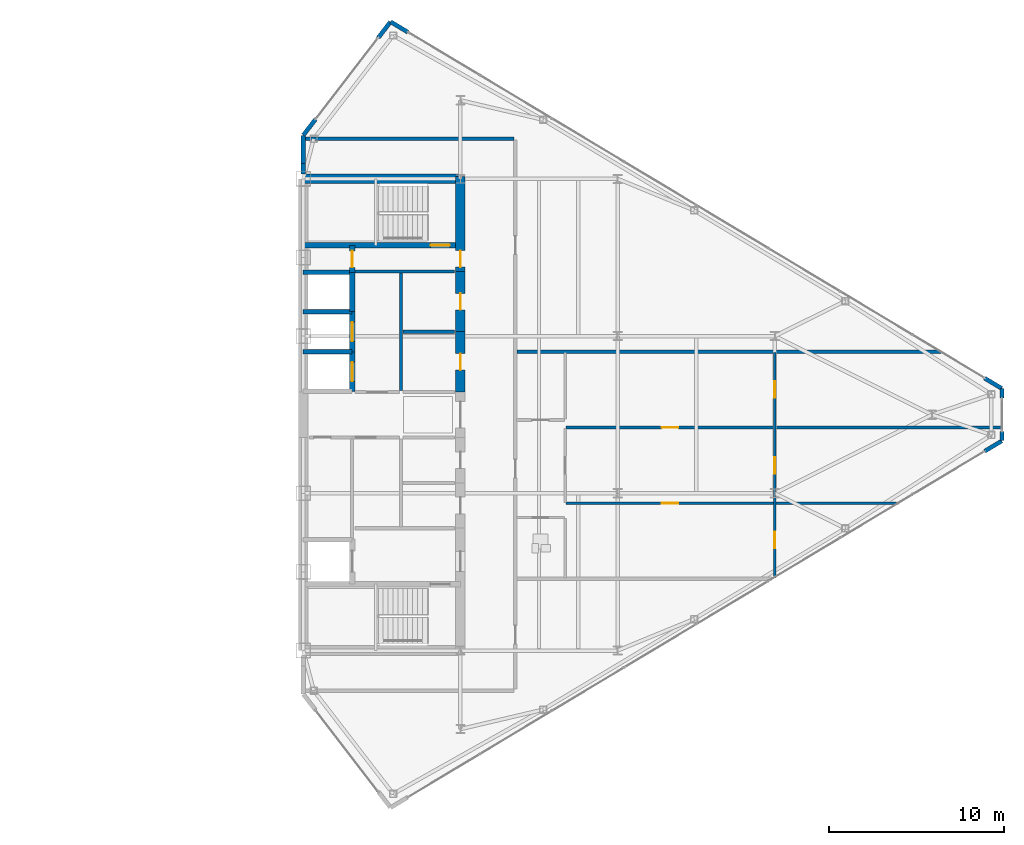
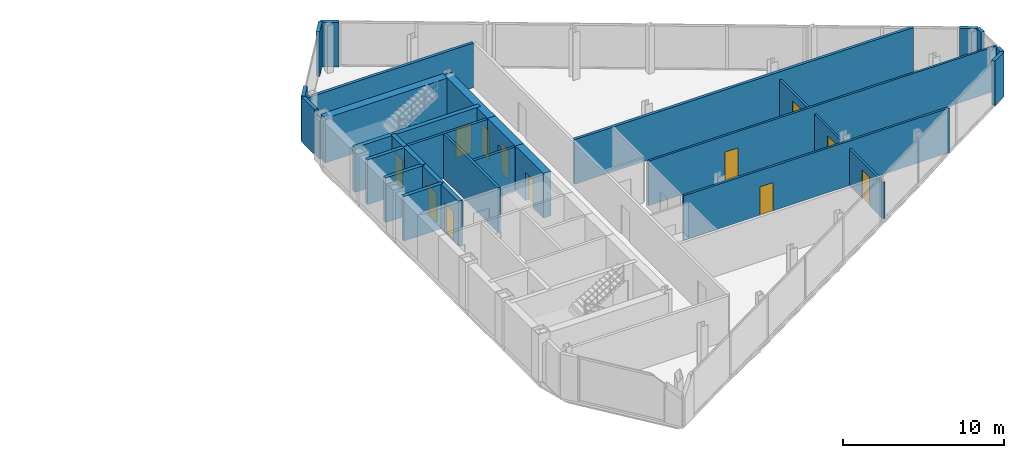
# One storey, part 22 of 25: 29 walls, 12 doors, 12 openings.
"""IFC4 building model written with IfcOpenShell, lengths in metres."""

from ifc_helpers import new_model, si_unit, direction, frame, frame_2d, origin, place, context, subcontext, project, spatial, rectangle, extrude, source, transform, mapped, material, layer, layer_set, type_object, type_shapes, element, fill, save


model = new_model("IFC4")

# Units and contexts
model_context = context("Model", 3, precision=1e-05, world=origin(), true_north=direction((0.0, 1.0)))
body_context = subcontext(model_context, "Body", "Model", "MODEL_VIEW")
ifc_project = project(units=[si_unit("LENGTHUNIT", "METRE"), si_unit("AREAUNIT", "SQUARE_METRE"), si_unit("VOLUMEUNIT", "CUBIC_METRE"), si_unit("PLANEANGLEUNIT", "RADIAN"), si_unit("MASSUNIT", "GRAM", prefix="KILO")], contexts=[model_context])

# Site, building, storey
site_placement = place(None, origin())
site = spatial("IfcSite", under=ifc_project, at=site_placement, CompositionType="ELEMENT")
building_placement = place(site_placement, origin())
building = spatial("IfcBuilding", under=site, at=building_placement, Name="Seokmaru Belvedere", CompositionType="ELEMENT")
storey_placement = place(building_placement, frame((0.0, 0.0, 206.699951171875)))
storey = spatial("IfcBuildingStorey", under=building, at=storey_placement, Name="L55", CompositionType="ELEMENT", Elevation=206.699951171875)

# Wall, opening, door
ifc_material_1 = material(Name="Fire-Rated Gypsum Shaftwall")
ifc_layer_1 = layer(ifc_material_1, 0.14990234375)
ifc_layer_set_1 = layer_set([ifc_layer_1], Name="Fire-Rated Gypsum Shaftwall")
wall_type_1 = type_object("IfcWallType", Name="Apartment Fire-Acoustic Room Partition 150", PredefinedType="PARTITIONING", material=ifc_layer_set_1)
wall_1_placement = place(storey_placement, frame((42.550048828125, -5.070068359375, 0.0), z_axis=(0.0, 0.0, 1.0), x_axis=(1.0, 0.0, 0.0)))
wall_1 = element("IfcWall", 1, at=wall_1_placement, inside=storey, type_object=wall_type_1, Name="L55 Interior Partition 008", PredefinedType="PARTITIONING", context=body_context, shape_type="SweptSolid", body=[
    extrude(rectangle(XDim=19.0400390625, YDim=0.14990234375, at=frame_2d((9.52001953125, 0.0))), origin(), (0.0, 0.0, 1.0), 3.380126953125),
])
opening_1_placement = place(wall_1_placement, frame((5.47509765625, 0.0, 0.0)))
opening_1 = element("IfcOpeningElement", 2, at=opening_1_placement, cuts=wall_1, Name="Opening D05", PredefinedType="OPENING", context=body_context, shape_type="SweptSolid", body=[
    extrude(rectangle(XDim=0.949951171875, YDim=2.14990234375, at=frame_2d((0.47509765625, 1.074951171875))), frame((0.0, 0.0849609375, 0.0), z_axis=(0.0, -1.0, 0.0), x_axis=(1.0, 0.0, 0.0)), (0.0, 0.0, 1.0), 0.169921875),
])
ifc_material_2 = material(Name="Engineered White Oak Timber", Category="wood")
door_type_1 = type_object("IfcDoorType", Name="Apartment Interior Fire-Rated Oak Door 950x2150", OperationType="NOTDEFINED", PredefinedType="DOOR", material=ifc_material_2)
shared_shape_1 = source(origin(), body_context, "Body", "SweptSolid", [
    extrude(rectangle(XDim=0.949951171875, YDim=2.14990234375, at=frame_2d((0.47509765625, 1.074951171875))), frame((0.0, 0.02490234375, 0.0), z_axis=(0.0, -1.0, 0.0), x_axis=(1.0, 0.0, 0.0)), (0.0, 0.0, 1.0), 0.050048828125),
])
type_shapes(door_type_1, [shared_shape_1])
door_1_placement = place(opening_1_placement, origin())
door_1 = element("IfcDoor", 3, at=door_1_placement, inside=storey, type_object=door_type_1, Name="L55 Interior Door 018", OperationType="SINGLE_SWING_RIGHT", OverallHeight=2.14990234375, OverallWidth=0.949951171875, PredefinedType="DOOR", context=body_context, shape_type="MappedRepresentation", body=[
    mapped(shared_shape_1, transform((0.0, 0.0, 0.0), scale=1.0)),
])
fill(opening_1, door_1)

wall_2_placement = place(storey_placement, frame((42.550048828125, -0.72998046875, 0.0), z_axis=(0.0, 0.0, 1.0), x_axis=(1.0, 0.0, 0.0)))
wall_2 = element("IfcWall", 4, at=wall_2_placement, inside=storey, type_object=wall_type_1, Name="L55 Interior Partition 011", PredefinedType="PARTITIONING", context=body_context, shape_type="SweptSolid", body=[
    extrude(rectangle(XDim=24.98486328125, YDim=0.14990234375, at=frame_2d((12.492431640625, 0.0))), origin(), (0.0, 0.0, 1.0), 3.380126953125),
])
opening_2_placement = place(wall_2_placement, frame((5.47509765625, 0.0, 0.0)))
opening_2 = element("IfcOpeningElement", 5, at=opening_2_placement, cuts=wall_2, Name="Opening D05", PredefinedType="OPENING", context=body_context, shape_type="SweptSolid", body=[
    extrude(rectangle(XDim=0.949951171875, YDim=2.14990234375, at=frame_2d((0.47509765625, 1.074951171875))), frame((0.0, 0.0849609375, 0.0), z_axis=(0.0, -1.0, 0.0), x_axis=(1.0, 0.0, 0.0)), (0.0, 0.0, 1.0), 0.169921875),
])
door_2_placement = place(opening_2_placement, origin())
door_2 = element("IfcDoor", 6, at=door_2_placement, inside=storey, type_object=door_type_1, Name="L55 Interior Door 019", OperationType="SINGLE_SWING_LEFT", OverallHeight=2.14990234375, OverallWidth=0.949951171875, PredefinedType="DOOR", context=body_context, shape_type="MappedRepresentation", body=[
    mapped(shared_shape_1, transform((0.0, 0.0, 0.0), scale=1.0)),
])
fill(opening_2, door_2)

# Wall, openings, doors
wall_3_placement = place(storey_placement, frame((54.5, -9.3349609375, 0.0), z_axis=(0.0, 0.0, 1.0), x_axis=(0.0, 1.0, 0.0)))
wall_3 = element("IfcWall", 7, at=wall_3_placement, inside=storey, type_object=wall_type_1, Name="L55 Interior Partition 026", PredefinedType="PARTITIONING", context=body_context, shape_type="SweptSolid", body=[
    extrude(rectangle(XDim=12.885009765625, YDim=0.14990234375, at=frame_2d((6.4423828125, 0.0))), origin(), (0.0, 0.0, 1.0), 2.780029296875),
])
opening_3_placement = place(wall_3_placement, frame((5.9599609375, 0.0, 0.0)))
opening_3 = element("IfcOpeningElement", 8, at=opening_3_placement, cuts=wall_3, Name="Opening D05", PredefinedType="OPENING", context=body_context, shape_type="SweptSolid", body=[
    extrude(rectangle(XDim=0.949951171875, YDim=2.14990234375, at=frame_2d((0.47509765625, 1.074951171875))), frame((0.0, 0.0849609375, 0.0), z_axis=(0.0, -1.0, 0.0), x_axis=(1.0, 0.0, 0.0)), (0.0, 0.0, 1.0), 0.169921875),
])
opening_4_placement = place(wall_3_placement, frame((1.6767578125, 0.0, 0.0)))
opening_4 = element("IfcOpeningElement", 9, at=opening_4_placement, cuts=wall_3, Name="Opening D05", PredefinedType="OPENING", context=body_context, shape_type="SweptSolid", body=[
    extrude(rectangle(XDim=0.949951171875, YDim=2.14990234375, at=frame_2d((0.47509765625, 1.074951171875))), frame((0.0, 0.0849609375, 0.0), z_axis=(0.0, -1.0, 0.0), x_axis=(1.0, 0.0, 0.0)), (0.0, 0.0, 1.0), 0.169921875),
])
opening_5_placement = place(wall_3_placement, frame((10.29345703125, 0.0, 0.0)))
opening_5 = element("IfcOpeningElement", 10, at=opening_5_placement, cuts=wall_3, Name="Opening D05", PredefinedType="OPENING", context=body_context, shape_type="SweptSolid", body=[
    extrude(rectangle(XDim=0.949951171875, YDim=2.14990234375, at=frame_2d((0.47509765625, 1.074951171875))), frame((0.0, 0.0849609375, 0.0), z_axis=(0.0, -1.0, 0.0), x_axis=(1.0, 0.0, 0.0)), (0.0, 0.0, 1.0), 0.169921875),
])
door_3_placement = place(opening_3_placement, origin())
door_3 = element("IfcDoor", 11, at=door_3_placement, inside=storey, type_object=door_type_1, Name="L55 Interior Door 017", OperationType="SINGLE_SWING_RIGHT", OverallHeight=2.14990234375, OverallWidth=0.949951171875, PredefinedType="DOOR", context=body_context, shape_type="MappedRepresentation", body=[
    mapped(shared_shape_1, transform((0.0, 0.0, 0.0), scale=1.0)),
])
fill(opening_3, door_3)
door_4_placement = place(opening_4_placement, origin())
door_4 = element("IfcDoor", 12, at=door_4_placement, inside=storey, type_object=door_type_1, Name="L55 Interior Door 020", OperationType="SINGLE_SWING_LEFT", OverallHeight=2.14990234375, OverallWidth=0.949951171875, PredefinedType="DOOR", context=body_context, shape_type="MappedRepresentation", body=[
    mapped(shared_shape_1, transform((0.0, 0.0, 0.0), scale=1.0)),
])
fill(opening_4, door_4)
door_5_placement = place(opening_5_placement, origin())
door_5 = element("IfcDoor", 13, at=door_5_placement, inside=storey, type_object=door_type_1, Name="L55 Interior Door 021", OperationType="SINGLE_SWING_RIGHT", OverallHeight=2.14990234375, OverallWidth=0.949951171875, PredefinedType="DOOR", context=body_context, shape_type="MappedRepresentation", body=[
    mapped(shared_shape_1, transform((0.0, 0.0, 0.0), scale=1.0)),
])
fill(opening_5, door_5)

# Walls
ifc_layer_2 = layer(ifc_material_1, 0.179931640625)
ifc_layer_set_2 = layer_set([ifc_layer_2], Name="Fire-Rated Gypsum Shaftwall")
wall_type_2 = type_object("IfcWallType", Name="Core Service Fire Partition 180", PredefinedType="PARTITIONING", material=ifc_layer_set_2)
wall_4_placement = place(storey_placement, frame((30.449951171875, 8.199951171875, 0.0), z_axis=(0.0, 0.0, 1.0), x_axis=(1.0, 0.0, 0.0)))
element("IfcWall", 14, at=wall_4_placement, inside=storey, type_object=wall_type_2, Name="L55 East Smokeproof Vestibule Partition", PredefinedType="PARTITIONING", context=body_context, shape_type="SweptSolid", body=[
    extrude(rectangle(XDim=5.699951171875, YDim=0.179931640625, at=frame_2d((2.85009765625, 0.0))), origin(), (0.0, 0.0, 1.0), 3.380126953125),
])
wall_5_placement = place(storey_placement, frame((33.10009765625, 1.3798828125, 0.0), z_axis=(0.0, 0.0, 1.0), x_axis=(0.0, 1.0, 0.0)))
element("IfcWall", 15, at=wall_5_placement, inside=storey, type_object=wall_type_2, Name="L55 East North Core Service Back Wall", PredefinedType="PARTITIONING", context=body_context, shape_type="SweptSolid", body=[
    extrude(rectangle(XDim=6.740234375, YDim=0.179931640625, at=frame_2d((3.3701171875, 0.0))), origin(), (0.0, 0.0, 1.0), 3.380126953125),
])
wall_6_placement = place(storey_placement, frame((33.199951171875, 4.75, 0.0), z_axis=(0.0, 0.0, 1.0), x_axis=(1.0, 0.0, 0.0)))
element("IfcWall", 16, at=wall_6_placement, inside=storey, type_object=wall_type_2, Name="L55 East Core Service Partition 2", PredefinedType="PARTITIONING", context=body_context, shape_type="SweptSolid", body=[
    extrude(rectangle(XDim=2.949951171875, YDim=0.179931640625, at=frame_2d((1.47509765625, 0.0))), origin(), (0.0, 0.0, 1.0), 3.380126953125),
])
ifc_material_3 = material(Name="Concrete C50 (50 MPa)", Category="concrete")
ifc_layer_3 = layer(ifc_material_3, 0.25)
ifc_layer_set_3 = layer_set([ifc_layer_3], Name="Concrete C50 (50 MPa)")
wall_type_3 = type_object("IfcWallType", Name="Hoistway Transverse Concrete Divider Wall 250", PredefinedType="SHEAR", material=ifc_layer_set_3)
for number, where, z_axis, x_axis, name in (
    (17, (27.5, 3.60009765625, 0.0), (0.0, 0.0, 1.0), (1.0, 0.0, 0.0), "L55 East Hoistway Divider Core Wall 3"),
    (18, (27.5, 5.89990234375, 0.0), (0.0, 0.0, 1.0), (1.0, 0.0, 0.0), "L55 East Hoistway Divider Core Wall 4"),
    (19, (27.5, 8.14990234375, 0.0), (0.0, 0.0, 1.0), (1.0, 0.0, 0.0), "L55 East Hoistway Divider Core Wall 5"),
):
    element("IfcWall", number, at=place(storey_placement, frame(where, z_axis=z_axis, x_axis=x_axis)), inside=storey, type_object=wall_type_3, Name=name, PredefinedType="SHEAR", context=body_context, shape_type="SweptSolid", body=[
        extrude(rectangle(XDim=2.800048828125, YDim=0.25, at=frame_2d((1.39990234375, 0.0))), origin(), (0.0, 0.0, 1.0), 3.380126953125),
    ])
ifc_layer_4 = layer(ifc_material_1, 0.199951171875)
ifc_layer_set_4 = layer_set([ifc_layer_4], Name="Fire-Rated Gypsum Shaftwall")
wall_type_4 = type_object("IfcWallType", Name="Inter-Tenancy Fire Compartment Partition 200", PredefinedType="PARTITIONING", material=ifc_layer_set_4)
wall_7_placement = place(storey_placement, frame((39.72998046875, 3.60009765625, 0.0), z_axis=(0.0, 0.0, 1.0), x_axis=(1.0, 0.0, 0.0)))
element("IfcWall", 20, at=wall_7_placement, inside=storey, type_object=wall_type_4, Name="L55 Interior Partition 014", PredefinedType="PARTITIONING", context=body_context, shape_type="SweptSolid", body=[
    extrude(rectangle(XDim=24.280029296875, YDim=0.199951171875, at=frame_2d((12.14013671875, 0.0))), origin(), (0.0, 0.0, 1.0), 3.380126953125),
])
wall_8_placement = place(storey_placement, frame((27.625, 15.800048828125, 0.0), z_axis=(0.0, 0.0, 1.0), x_axis=(1.0, 0.0, 0.0)))
element("IfcWall", 21, at=wall_8_placement, inside=storey, type_object=wall_type_4, Name="L55 Interior Partition 016", PredefinedType="PARTITIONING", context=body_context, shape_type="SweptSolid", body=[
    extrude(rectangle(XDim=11.93994140625, YDim=0.199951171875, at=frame_2d((5.969970703125, 0.0))), origin(), (0.0, 0.0, 1.0), 3.380126953125),
])

# Wall, opening, door
ifc_layer_5 = layer(ifc_material_3, 0.300048828125)
ifc_layer_set_5 = layer_set([ifc_layer_5], Name="Concrete C50 (50 MPa)")
wall_type_5 = type_object("IfcWallType", Name="Internal Core Stair and Hoistway Wall 300", PredefinedType="SHEAR", material=ifc_layer_set_5)
wall_9_placement = place(storey_placement, frame((27.5, 9.699951171875, 0.0), z_axis=(0.0, 0.0, 1.0), x_axis=(1.0, 0.0, 0.0)))
wall_9 = element("IfcWall", 22, at=wall_9_placement, inside=storey, type_object=wall_type_5, Name="L55 East Stair ST-2 Enclosure Wall", PredefinedType="SHEAR", context=body_context, shape_type="SweptSolid", body=[
    extrude(rectangle(XDim=9.0, YDim=0.300048828125, at=frame_2d((4.5, 0.0))), origin(), (0.0, 0.0, 1.0), 3.380126953125),
])
opening_6_placement = place(wall_9_placement, frame((7.300048828125, 0.0, 0.0)))
opening_6 = element("IfcOpeningElement", 23, at=opening_6_placement, cuts=wall_9, Name="Opening D01", PredefinedType="OPENING", context=body_context, shape_type="SweptSolid", body=[
    extrude(rectangle(XDim=1.10009765625, YDim=2.199951171875, at=frame_2d((0.550048828125, 1.10009765625))), frame((0.0, 0.16015625, 0.0), z_axis=(0.0, -1.0, 0.0), x_axis=(1.0, 0.0, 0.0)), (0.0, 0.0, 1.0), 0.320068359375),
])
ifc_material_4 = material(Name="Fire-Rated Steel Leaf", Category="steel")
door_type_2 = type_object("IfcDoorType", Name="Special Escape Stair Smokeproof Fire Door 1100x2200", OperationType="NOTDEFINED", PredefinedType="DOOR", material=ifc_material_4)
shared_shape_2 = source(origin(), body_context, "Body", "SweptSolid", [
    extrude(rectangle(XDim=1.10009765625, YDim=2.199951171875, at=frame_2d((0.550048828125, 1.10009765625))), frame((0.0, 0.02490234375, 0.0), z_axis=(0.0, -1.0, 0.0), x_axis=(1.0, 0.0, 0.0)), (0.0, 0.0, 1.0), 0.050048828125),
])
type_shapes(door_type_2, [shared_shape_2])
door_6_placement = place(opening_6_placement, origin())
door_6 = element("IfcDoor", 24, at=door_6_placement, inside=storey, type_object=door_type_2, Name="L55 East Special Escape Stair ST-2 Door", OperationType="SINGLE_SWING_LEFT", OverallHeight=2.199951171875, OverallWidth=1.10009765625, PredefinedType="DOOR", context=body_context, shape_type="MappedRepresentation", body=[
    mapped(shared_shape_2, transform((0.0, 0.0, 0.0), scale=1.0)),
])
fill(opening_6, door_6)

wall_10_placement = place(storey_placement, frame((30.300048828125, 1.320068359375, 0.0), z_axis=(0.0, 0.0, 1.0), x_axis=(0.0, 1.0, 0.0)))
wall_10 = element("IfcWall", 25, at=wall_10_placement, inside=storey, type_object=wall_type_5, Name="L55 East North Hoistway Wall PH1", PredefinedType="SHEAR", context=body_context, shape_type="SweptSolid", body=[
    extrude(rectangle(XDim=2.280029296875, YDim=0.300048828125, at=frame_2d((1.14013671875, 0.0))), origin(), (0.0, 0.0, 1.0), 3.380126953125),
])
opening_7_placement = place(wall_10_placement, frame((0.590087890625, 0.0, 0.0)))
opening_7 = element("IfcOpeningElement", 26, at=opening_7_placement, cuts=wall_10, Name="Opening LD1", PredefinedType="OPENING", context=body_context, shape_type="SweptSolid", body=[
    extrude(rectangle(XDim=1.10009765625, YDim=2.199951171875, at=frame_2d((0.550048828125, 1.10009765625))), frame((0.0, 0.16015625, 0.0), z_axis=(0.0, -1.0, 0.0), x_axis=(1.0, 0.0, 0.0)), (0.0, 0.0, 1.0), 0.320068359375),
])
ifc_material_5 = material(Name="Stainless Steel 316", Category="steel")
door_type_3 = type_object("IfcDoorType", Name="Passenger Lift Sliding Landing Door 1100x2200", OperationType="DOUBLE_DOOR_SLIDING", PredefinedType="DOOR", material=ifc_material_5)
shared_shape_3 = source(origin(), body_context, "Body", "SweptSolid", [
    extrude(rectangle(XDim=1.10009765625, YDim=2.199951171875, at=frame_2d((0.550048828125, 1.10009765625))), frame((0.0, 0.02490234375, 0.0), z_axis=(0.0, -1.0, 0.0), x_axis=(1.0, 0.0, 0.0)), (0.0, 0.0, 1.0), 0.050048828125),
])
type_shapes(door_type_3, [shared_shape_3])
door_7_placement = place(opening_7_placement, origin())
door_7 = element("IfcDoor", 27, at=door_7_placement, inside=storey, type_object=door_type_3, Name="L55 East High-Rise Lift PH-1 Landing Door", OperationType="DOUBLE_DOOR_SLIDING", OverallHeight=2.199951171875, OverallWidth=1.10009765625, PredefinedType="DOOR", context=body_context, shape_type="MappedRepresentation", body=[
    mapped(shared_shape_3, transform((0.0, 0.0, 0.0), scale=1.0)),
])
fill(opening_7, door_7)

wall_11_placement = place(storey_placement, frame((30.300048828125, 3.60009765625, 0.0), z_axis=(0.0, 0.0, 1.0), x_axis=(0.0, 1.0, 0.0)))
wall_11 = element("IfcWall", 28, at=wall_11_placement, inside=storey, type_object=wall_type_5, Name="L55 East North Hoistway Wall PH2", PredefinedType="SHEAR", context=body_context, shape_type="SweptSolid", body=[
    extrude(rectangle(XDim=2.2998046875, YDim=0.300048828125, at=frame_2d((1.14990234375, 0.0))), origin(), (0.0, 0.0, 1.0), 3.380126953125),
])
opening_8_placement = place(wall_11_placement, frame((0.60009765625, 0.0, 0.0)))
opening_8 = element("IfcOpeningElement", 29, at=opening_8_placement, cuts=wall_11, Name="Opening LD1", PredefinedType="OPENING", context=body_context, shape_type="SweptSolid", body=[
    extrude(rectangle(XDim=1.10009765625, YDim=2.199951171875, at=frame_2d((0.550048828125, 1.10009765625))), frame((0.0, 0.16015625, 0.0), z_axis=(0.0, -1.0, 0.0), x_axis=(1.0, 0.0, 0.0)), (0.0, 0.0, 1.0), 0.320068359375),
])
door_8_placement = place(opening_8_placement, origin())
door_8 = element("IfcDoor", 30, at=door_8_placement, inside=storey, type_object=door_type_3, Name="L55 East High-Rise Lift PH-2 Landing Door", OperationType="DOUBLE_DOOR_SLIDING", OverallHeight=2.199951171875, OverallWidth=1.10009765625, PredefinedType="DOOR", context=body_context, shape_type="MappedRepresentation", body=[
    mapped(shared_shape_3, transform((0.0, 0.0, 0.0), scale=1.0)),
])
fill(opening_8, door_8)

# Wall
wall_12_placement = place(storey_placement, frame((30.300048828125, 5.89990234375, 0.0), z_axis=(0.0, 0.0, 1.0), x_axis=(0.0, 1.0, 0.0)))
element("IfcWall", 31, at=wall_12_placement, inside=storey, type_object=wall_type_5, Name="L55 East North Hoistway Wall OBS", PredefinedType="SHEAR", context=body_context, shape_type="SweptSolid", body=[
    extrude(rectangle(XDim=2.25, YDim=0.300048828125, at=frame_2d((1.125, 0.0))), origin(), (0.0, 0.0, 1.0), 3.380126953125),
])

# Wall, opening, door
wall_13_placement = place(storey_placement, frame((30.300048828125, 8.14990234375, 0.0), z_axis=(0.0, 0.0, 1.0), x_axis=(0.0, 1.0, 0.0)))
wall_13 = element("IfcWall", 32, at=wall_13_placement, inside=storey, type_object=wall_type_5, Name="L55 East Electrical Riser Front Wall", PredefinedType="SHEAR", context=body_context, shape_type="SweptSolid", body=[
    extrude(rectangle(XDim=1.530029296875, YDim=0.300048828125, at=frame_2d((0.76513671875, 0.0))), origin(), (0.0, 0.0, 1.0), 3.380126953125),
])
opening_9_placement = place(wall_13_placement, frame((0.284912109375, 0.0, 0.0)))
opening_9 = element("IfcOpeningElement", 33, at=opening_9_placement, cuts=wall_13, Name="Opening D04", PredefinedType="OPENING", context=body_context, shape_type="SweptSolid", body=[
    extrude(rectangle(XDim=0.949951171875, YDim=2.14990234375, at=frame_2d((0.47509765625, 1.074951171875))), frame((0.0, 0.16015625, 0.0), z_axis=(0.0, -1.0, 0.0), x_axis=(1.0, 0.0, 0.0)), (0.0, 0.0, 1.0), 0.320068359375),
])
door_type_4 = type_object("IfcDoorType", Name="Core Service Room Fire Door 950x2150", OperationType="NOTDEFINED", PredefinedType="DOOR", material=ifc_material_4)
shared_shape_4 = source(origin(), body_context, "Body", "SweptSolid", [
    extrude(rectangle(XDim=0.949951171875, YDim=2.14990234375, at=frame_2d((0.47509765625, 1.074951171875))), frame((0.0, 0.02490234375, 0.0), z_axis=(0.0, -1.0, 0.0), x_axis=(1.0, 0.0, 0.0)), (0.0, 0.0, 1.0), 0.050048828125),
])
type_shapes(door_type_4, [shared_shape_4])
door_9_placement = place(opening_9_placement, origin())
door_9 = element("IfcDoor", 34, at=door_9_placement, inside=storey, type_object=door_type_4, Name="L55 East Electrical Riser Access Door", OperationType="SINGLE_SWING_RIGHT", OverallHeight=2.14990234375, OverallWidth=0.949951171875, PredefinedType="DOOR", context=body_context, shape_type="MappedRepresentation", body=[
    mapped(shared_shape_4, transform((0.0, 0.0, 0.0), scale=1.0)),
])
fill(opening_9, door_9)

# Wall
ifc_layer_6 = layer(ifc_material_3, 0.550048828125)
ifc_layer_set_6 = layer_set([ifc_layer_6], Name="Concrete C50 (50 MPa)")
wall_type_6 = type_object("IfcWallType", Name="Mid-High Reinforced Concrete Core Wall 550", PredefinedType="SHEAR", material=ifc_layer_set_6)
wall_14_placement = place(storey_placement, frame((27.5, 13.5, 0.0), z_axis=(0.0, 0.0, 1.0), x_axis=(1.0, 0.0, 0.0)))
element("IfcWall", 35, at=wall_14_placement, inside=storey, type_object=wall_type_6, Name="L55 East North Core Wall", PredefinedType="SHEAR", context=body_context, shape_type="SweptSolid", body=[
    extrude(rectangle(XDim=9.0, YDim=0.550048828125, at=frame_2d((4.5, 0.0))), origin(), (0.0, 0.0, 1.0), 3.380126953125),
])

# Wall, opening, door
wall_15_placement = place(storey_placement, frame((36.5, 8.199951171875, 0.0), z_axis=(0.0, 0.0, 1.0), x_axis=(0.0, 1.0, 0.0)))
wall_15 = element("IfcWall", 36, at=wall_15_placement, inside=storey, type_object=wall_type_6, Name="L55 East West Core Wall VST", PredefinedType="SHEAR", context=body_context, shape_type="SweptSolid", body=[
    extrude(rectangle(XDim=5.449951171875, YDim=0.550048828125, at=frame_2d((2.72509765625, 0.0))), origin(), (0.0, 0.0, 1.0), 3.380126953125),
])
opening_10_placement = place(wall_15_placement, frame((0.2451171875, 0.0, 0.0)))
opening_10 = element("IfcOpeningElement", 37, at=opening_10_placement, cuts=wall_15, Name="Opening D04", PredefinedType="OPENING", context=body_context, shape_type="SweptSolid", body=[
    extrude(rectangle(XDim=0.949951171875, YDim=2.14990234375, at=frame_2d((0.47509765625, 1.074951171875))), frame((0.0, 0.28515625, 0.0), z_axis=(0.0, -1.0, 0.0), x_axis=(1.0, 0.0, 0.0)), (0.0, 0.0, 1.0), 0.570068359375),
])
door_10_placement = place(opening_10_placement, origin())
door_10 = element("IfcDoor", 38, at=door_10_placement, inside=storey, type_object=door_type_4, Name="L55 East Smokeproof Vestibule Door", OperationType="SINGLE_SWING_LEFT", OverallHeight=2.14990234375, OverallWidth=0.949951171875, PredefinedType="DOOR", context=body_context, shape_type="MappedRepresentation", body=[
    mapped(shared_shape_4, transform((0.0, 0.0, 0.0), scale=1.0)),
])
fill(opening_10, door_10)

wall_16_placement = place(storey_placement, frame((36.5, 1.300048828125, 0.0), z_axis=(0.0, 0.0, 1.0), x_axis=(0.0, 1.0, 0.0)))
wall_16 = element("IfcWall", 39, at=wall_16_placement, inside=storey, type_object=wall_type_6, Name="L55 East West Core Wall CS3", PredefinedType="SHEAR", context=body_context, shape_type="SweptSolid", body=[
    extrude(rectangle(XDim=3.449951171875, YDim=0.550048828125, at=frame_2d((1.72509765625, 0.0))), origin(), (0.0, 0.0, 1.0), 3.380126953125),
])
opening_11_placement = place(wall_16_placement, frame((1.25, 0.0, 0.0)))
opening_11 = element("IfcOpeningElement", 40, at=opening_11_placement, cuts=wall_16, Name="Opening D04", PredefinedType="OPENING", context=body_context, shape_type="SweptSolid", body=[
    extrude(rectangle(XDim=0.949951171875, YDim=2.14990234375, at=frame_2d((0.47509765625, 1.074951171875))), frame((0.0, 0.28515625, 0.0), z_axis=(0.0, -1.0, 0.0), x_axis=(1.0, 0.0, 0.0)), (0.0, 0.0, 1.0), 0.570068359375),
])
door_11_placement = place(opening_11_placement, origin())
door_11 = element("IfcDoor", 41, at=door_11_placement, inside=storey, type_object=door_type_4, Name="L55 East Core Service Room Door 3", OperationType="SINGLE_SWING_RIGHT", OverallHeight=2.14990234375, OverallWidth=0.949951171875, PredefinedType="DOOR", context=body_context, shape_type="MappedRepresentation", body=[
    mapped(shared_shape_4, transform((0.0, 0.0, 0.0), scale=1.0)),
])
fill(opening_11, door_11)

wall_17_placement = place(storey_placement, frame((36.5, 4.75, 0.0), z_axis=(0.0, 0.0, 1.0), x_axis=(0.0, 1.0, 0.0)))
wall_17 = element("IfcWall", 42, at=wall_17_placement, inside=storey, type_object=wall_type_6, Name="L55 East West Core Wall CS4", PredefinedType="SHEAR", context=body_context, shape_type="SweptSolid", body=[
    extrude(rectangle(XDim=3.449951171875, YDim=0.550048828125, at=frame_2d((1.72509765625, 0.0))), origin(), (0.0, 0.0, 1.0), 3.380126953125),
])
opening_12_placement = place(wall_17_placement, frame((1.25, 0.0, 0.0)))
opening_12 = element("IfcOpeningElement", 43, at=opening_12_placement, cuts=wall_17, Name="Opening D04", PredefinedType="OPENING", context=body_context, shape_type="SweptSolid", body=[
    extrude(rectangle(XDim=0.949951171875, YDim=2.14990234375, at=frame_2d((0.47509765625, 1.074951171875))), frame((0.0, 0.28515625, 0.0), z_axis=(0.0, -1.0, 0.0), x_axis=(1.0, 0.0, 0.0)), (0.0, 0.0, 1.0), 0.570068359375),
])
door_12_placement = place(opening_12_placement, origin())
door_12 = element("IfcDoor", 44, at=door_12_placement, inside=storey, type_object=door_type_4, Name="L55 East Core Service Room Door 4", OperationType="SINGLE_SWING_LEFT", OverallHeight=2.14990234375, OverallWidth=0.949951171875, PredefinedType="DOOR", context=body_context, shape_type="MappedRepresentation", body=[
    mapped(shared_shape_4, transform((0.0, 0.0, 0.0), scale=1.0)),
])
fill(opening_12, door_12)

# Walls
ifc_material_6 = material(Name="Anodised Bronze Aluminium", Category="aluminium")
ifc_layer_7 = layer(ifc_material_6, 0.239990234375)
ifc_layer_set_7 = layer_set([ifc_layer_7], Name="Anodised Bronze Aluminium")
wall_type_7 = type_object("IfcWallType", Name="Tower Corner Spandrel Closure Wall 240", PredefinedType="SOLIDWALL", material=ifc_layer_set_7)
wall_18_placement = place(storey_placement, frame((66.513916015625, -2.091796875, 0.0), z_axis=(0.0, 0.0, 1.0), x_axis=(0.85743623509, 0.514590228002, 0.0)))
element("IfcWall", 45, at=wall_18_placement, inside=storey, type_object=wall_type_7, Name="L55 E Corner Closure Pier 1B", PredefinedType="SOLIDWALL", context=body_context, shape_type="SweptSolid", body=[
    extrude(rectangle(XDim=1.14013671875, YDim=0.239990234375, at=frame_2d((0.570068359375, 0.0))), origin(), (0.0, 0.0, 1.0), 3.380126953125),
])
for number, where, z_axis, x_axis, name in (
    (46, (67.5, -1.489990234375, 0.0), (0.0, 0.0, 1.0), (0.0, 1.0, 0.0), "L55 E Apex Closure Pier 2A"),
    (47, (67.5, 0.949951171875, 0.0), (0.0, 0.0, 1.0), (0.0, 1.0, 0.0), "L55 E Apex Closure Pier 2B"),
):
    element("IfcWall", number, at=place(storey_placement, frame(where, z_axis=z_axis, x_axis=x_axis)), inside=storey, type_object=wall_type_7, Name=name, PredefinedType="SOLIDWALL", context=body_context, shape_type="SweptSolid", body=[
        extrude(rectangle(XDim=0.5400390625, YDim=0.239990234375, at=frame_2d((0.27001953125, 0.0))), origin(), (0.0, 0.0, 1.0), 3.380126953125),
    ])
for number, where, z_axis, x_axis, name in (
    (48, (67.491455078125, 1.505126953125, 0.0), (0.0, 0.0, 1.0), (-0.85743623509, 0.514590228002, 0.0), "L55 E Corner Closure Pier 3A"),
    (49, (33.486083984375, 21.908203125, 0.0), (0.0, 0.0, 1.0), (-0.85743623509, 0.514590228002, 0.0), "L55 E Corner Closure Pier 3B"),
    (50, (32.493896484375, 22.4921875, 0.0), (0.0, 0.0, 1.0), (-0.609617623633, -0.792695624408, 0.0), "L55 E Corner Closure Pier 4A"),
    (51, (28.201171875, 16.91162109375, 0.0), (0.0, 0.0, 1.0), (-0.609617623633, -0.792695624408, 0.0), "L55 E Corner Closure Pier 4B"),
):
    element("IfcWall", number, at=place(storey_placement, frame(where, z_axis=z_axis, x_axis=x_axis)), inside=storey, type_object=wall_type_7, Name=name, PredefinedType="SOLIDWALL", context=body_context, shape_type="SweptSolid", body=[
        extrude(rectangle(XDim=1.14013671875, YDim=0.239990234375, at=frame_2d((0.570068359375, 0.0))), origin(), (0.0, 0.0, 1.0), 3.380126953125),
    ])
wall_19_placement = place(storey_placement, frame((27.5, 13.780029296875, 0.0), z_axis=(0.0, 0.0, 1.0), x_axis=(0.0, 1.0, 0.0)))
element("IfcWall", 52, at=wall_19_placement, inside=storey, type_object=wall_type_7, Name="L55 E Shoulder Closure Wall 2", PredefinedType="SOLIDWALL", context=body_context, shape_type="SweptSolid", body=[
    extrude(rectangle(XDim=0.599853515625, YDim=0.239990234375, at=frame_2d((0.2998046875, 0.0))), origin(), (0.0, 0.0, 1.0), 2.880126953125),
])
wall_20_placement = place(storey_placement, frame((27.5, 14.3798828125, 0.0), z_axis=(0.0, 0.0, 1.0), x_axis=(0.0, 1.0, 0.0)))
element("IfcWall", 53, at=wall_20_placement, inside=storey, type_object=wall_type_7, Name="L55 E Shoulder Closure Wall 2 Part 2", PredefinedType="SOLIDWALL", context=body_context, shape_type="SweptSolid", body=[
    extrude(rectangle(XDim=1.60009765625, YDim=0.239990234375, at=frame_2d((0.800048828125, 0.0))), origin(), (0.0, 0.0, 1.0), 3.380126953125),
])

save(model, "model.ifc")
